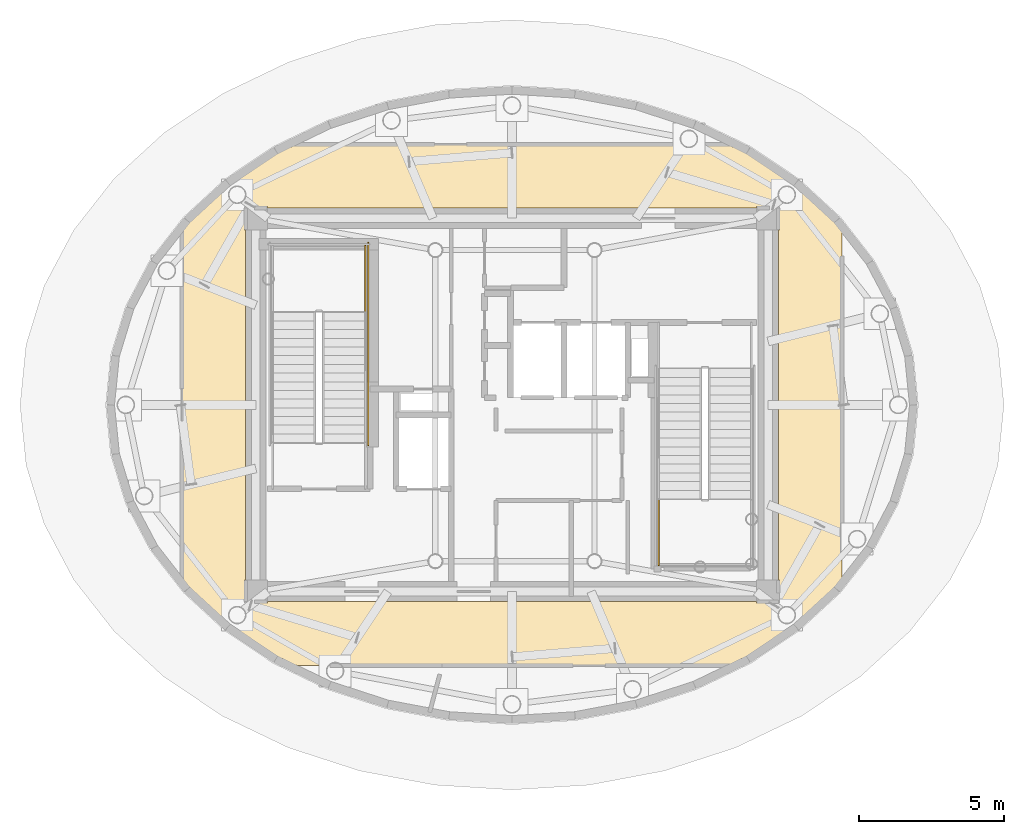
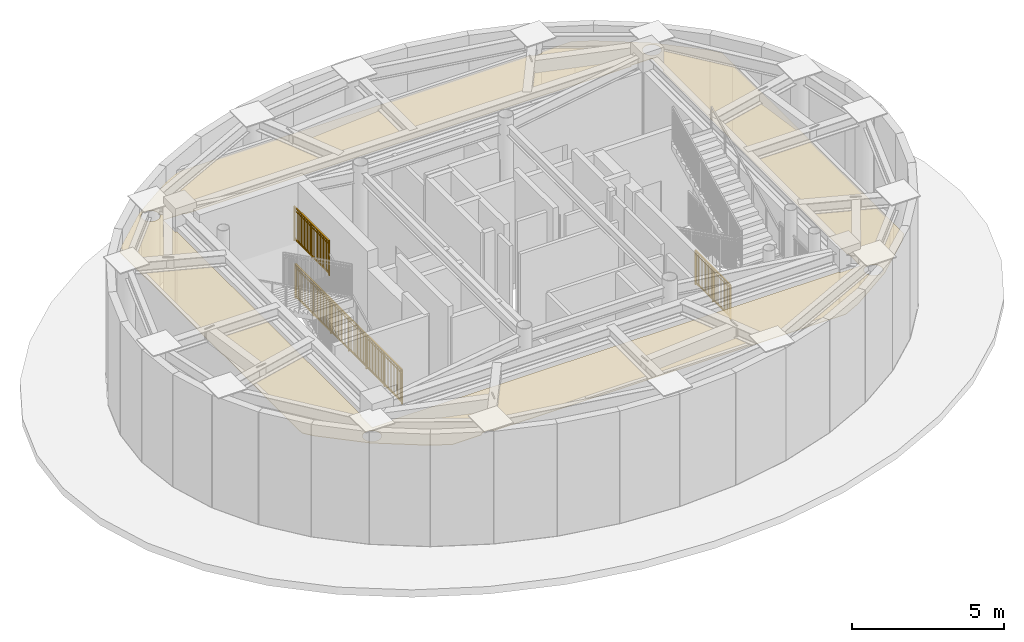
# One storey, part 8 of 12: 3 railings, 1 covering.
"""IFC4 building model written with IfcOpenShell, lengths in metres."""

import ifcopenshell
import ifcopenshell.guid

model = None  # the IFC model being written
_history = None  # IfcOwnerHistory: only IFC2X3 demands one
_inside = {}  # id of a spatial element -> (the spatial element, [elements in it])
_under = {}  # id of a project, library or spatial element -> (it, [spatial elements below it])
_declared = {}  # id of a project -> (the project, [libraries it declares])
_typed = {}  # id of a type object -> (the type object, [elements of that type])
_made_of = {}  # id of a material, layer set ... -> (it, [elements and type objects made of it])


def new_model(schema):
    """Start an empty IFC model of exactly this schema.

    Asked for "IFC4X3", IfcOpenShell would pick the latest addendum, in which some entities
    have other attributes; the version numbers below select the first issue.
    IFC2X3 requires an IfcOwnerHistory on every rooted entity: one is made here for all.
    """
    global model, _history
    if schema == "IFC4X3":
        model = ifcopenshell.file(schema_version=(4, 3, 0, 0))
    else:
        model = ifcopenshell.file(schema=schema)
    _inside.clear()
    _under.clear()
    _declared.clear()
    _typed.clear()
    _made_of.clear()
    _history = None
    if model.schema == "IFC2X3":
        org = make("IfcOrganization", Name="unknown")
        user = make(
            "IfcPersonAndOrganization",
            ThePerson=make("IfcPerson", FamilyName="unknown"),
            TheOrganization=org,
        )
        app = make(
            "IfcApplication",
            ApplicationDeveloper=org,
            Version="unknown",
            ApplicationFullName="unknown",
            ApplicationIdentifier="unknown",
        )
        _history = make(
            "IfcOwnerHistory",
            OwningUser=user,
            OwningApplication=app,
            ChangeAction="ADDED",
            CreationDate=0,
        )
    return model


def make(cls, **values):
    """One entity of the class cls with the attributes given. An attribute that is None is left unset."""
    return model.create_entity(
        cls, **{name: value for name, value in values.items() if value is not None}
    )


def rooted(cls, **values):
    """An entity with a GlobalId (a new one), such as an element, a storey or a relation."""
    return make(cls, GlobalId=ifcopenshell.guid.new(), OwnerHistory=_history, **values)


def si_unit(unit_type, name, prefix=None):
    """IfcSIUnit, for example si_unit("LENGTHUNIT", "METRE", prefix="MILLI")."""
    return make("IfcSIUnit", UnitType=unit_type, Prefix=prefix, Name=name)


def assignment(units):
    """IfcUnitAssignment: the units of a project."""
    return None if units is None else make("IfcUnitAssignment", Units=units)


def point(xyz):
    """IfcCartesianPoint."""
    return None if xyz is None else make("IfcCartesianPoint", Coordinates=xyz)


def direction(xyz):
    """IfcDirection."""
    return None if xyz is None else make("IfcDirection", DirectionRatios=xyz)


def frame(location, z_axis=None, x_axis=None):
    """IfcAxis2Placement3D, a coordinate frame: its origin and axes. An axis left out is left unset."""
    return make(
        "IfcAxis2Placement3D",
        Location=point(location),
        Axis=direction(z_axis),
        RefDirection=direction(x_axis),
    )


def frame_2d(location, x_axis=None):
    """IfcAxis2Placement2D, a coordinate frame in the plane: its origin and x axis."""
    return make(
        "IfcAxis2Placement2D", Location=point(location), RefDirection=direction(x_axis)
    )


def origin():
    """The frame at (0, 0, 0) with its axes left unset."""
    return frame((0.0, 0.0, 0.0))


def origin_2d():
    """The frame at (0, 0) in the plane with its x axis left unset."""
    return frame_2d((0.0, 0.0))


def place(relative_to, where):
    """IfcLocalPlacement: puts the frame where relative to a parent placement (None: the world)."""
    return make(
        "IfcLocalPlacement", PlacementRelTo=relative_to, RelativePlacement=where
    )


def context(
    kind, dimensions, precision=None, world=None, true_north=None, identifier=None
):
    """IfcGeometricRepresentationContext, for example the 3D "Model" context."""
    return make(
        "IfcGeometricRepresentationContext",
        ContextIdentifier=identifier,
        ContextType=kind,
        CoordinateSpaceDimension=dimensions,
        Precision=precision,
        WorldCoordinateSystem=world,
        TrueNorth=true_north,
    )


def subcontext(parent, identifier, kind, view, scale=None):
    """IfcGeometricRepresentationSubContext, for example "Body" below "Model"."""
    return make(
        "IfcGeometricRepresentationSubContext",
        ContextIdentifier=identifier,
        ContextType=kind,
        ParentContext=parent,
        TargetScale=scale,
        TargetView=view,
    )


def project(units=None, contexts=None):
    """IfcProject with its units and contexts."""
    return rooted(
        "IfcProject",
        Name="project",
        RepresentationContexts=contexts,
        UnitsInContext=assignment(units),
    )


def spatial(cls, under=None, at=None, **own):
    """A site, building, storey or space (cls), placed at a placement, below another one or the project."""
    s = rooted(cls, ObjectPlacement=at, **own)
    if under is not None:
        _under.setdefault(under.id(), (under, []))[1].append(s)
    return s


def polyline(points):
    """IfcPolyline through the points."""
    return make("IfcPolyline", Points=[point(p) for p in points])


def profile(cls, at=None, kind="AREA", **sizes):
    """A parametric profile (cls). Its sizes go by their IFC names, for example OverallWidth=200.0."""
    return make(cls, ProfileType=kind, Position=at, **sizes)


def rectangle(**sizes):
    """IfcRectangleProfileDef."""
    return profile("IfcRectangleProfileDef", **sizes)


def outline(outer, holes=None, kind="AREA"):
    """IfcArbitraryClosedProfileDef: a profile drawn as a closed curve; with holes, ...WithVoids."""
    if holes is None:
        return make("IfcArbitraryClosedProfileDef", ProfileType=kind, OuterCurve=outer)
    return make(
        "IfcArbitraryProfileDefWithVoids",
        ProfileType=kind,
        OuterCurve=outer,
        InnerCurves=holes,
    )


def extrude(swept, where, along, depth):
    """IfcExtrudedAreaSolid: the profile swept, set in the frame where, extruded along a direction by depth."""
    return make(
        "IfcExtrudedAreaSolid",
        SweptArea=swept,
        Position=where,
        ExtrudedDirection=direction(along),
        Depth=depth,
    )


def shape(context_of_items, identifier, shape_type, items):
    """IfcShapeRepresentation: the items that make up one representation, for example the "Body"."""
    return make(
        "IfcShapeRepresentation",
        ContextOfItems=context_of_items,
        RepresentationIdentifier=identifier,
        RepresentationType=shape_type,
        Items=items,
    )


def source(mapping_origin, context_of_items, identifier, shape_type, items):
    """IfcRepresentationMap: a shape defined once, which mapped items show again and again."""
    return make(
        "IfcRepresentationMap",
        MappingOrigin=mapping_origin,
        MappedRepresentation=shape(context_of_items, identifier, shape_type, items),
    )


def transform(
    local_origin,
    x_axis=None,
    y_axis=None,
    z_axis=None,
    scale=None,
    scale2=None,
    scale3=None,
    uniform=True,
):
    """IfcCartesianTransformationOperator3D, or its non-uniform kind. x_axis, y_axis, z_axis: its Axis1, 2, 3."""
    if uniform:
        return make(
            "IfcCartesianTransformationOperator3D",
            Axis1=direction(x_axis),
            Axis2=direction(y_axis),
            LocalOrigin=point(local_origin),
            Scale=scale,
            Axis3=direction(z_axis),
        )
    return make(
        "IfcCartesianTransformationOperator3DnonUniform",
        Axis1=direction(x_axis),
        Axis2=direction(y_axis),
        LocalOrigin=point(local_origin),
        Scale=scale,
        Axis3=direction(z_axis),
        Scale2=scale2,
        Scale3=scale3,
    )


def mapped(mapping_source, mapping_target):
    """IfcMappedItem: shows the shape of a source again, moved by a transform."""
    return make(
        "IfcMappedItem", MappingSource=mapping_source, MappingTarget=mapping_target
    )


def material(Name=None, Category=None):
    """IfcMaterial."""
    return make("IfcMaterial", Name=Name, Category=Category)


def layer(
    of_material, thickness, ventilated=None, Name=None, Category=None, Priority=None
):
    """IfcMaterialLayer: one layer of a wall or slab, of a material (None: an air gap)."""
    return make(
        "IfcMaterialLayer",
        Material=of_material,
        LayerThickness=thickness,
        IsVentilated=ventilated,
        Name=Name,
        Category=Category,
        Priority=Priority,
    )


def layer_set(layers, Name=None):
    """IfcMaterialLayerSet."""
    return make("IfcMaterialLayerSet", MaterialLayers=layers, LayerSetName=Name)


def made_of(thing, what):
    """Note that an element or type object is made of a material, layer set ...; save() writes the relation."""
    if what is not None:
        _made_of.setdefault(what.id(), (what, []))[1].append(thing)
    return thing


def type_object(cls, material=None, **own):
    """A type object (cls), such as IfcWallType, which elements share."""
    return made_of(rooted(cls, **own), material)


def element(
    cls,
    number,
    at=None,
    inside=None,
    cuts=None,
    type_object=None,
    material=None,
    context=None,
    identifier="Body",
    shape_type=None,
    held_by="IfcProductDefinitionShape",
    body=None,
    shapes=None,
    **own,
):
    """One element of the class cls, such as IfcWall. Its Tag is "e" and its number.

    at: its placement. inside: the storey or other place that contains it. cuts: it is an
    opening in that element (IfcRelVoidsElement). A single representation is given by context,
    identifier, shape_type and body (its items); several are given by shapes. held_by: the class
    of the entity that holds the representations. save() writes the other relations.
    """
    e = rooted(cls, Tag="e%d" % number, ObjectPlacement=at, **own)
    if body is not None:
        shapes = [shape(context, identifier, shape_type, body)]
    if shapes is not None:
        e.Representation = make(held_by, Representations=shapes)
    if inside is not None:
        _inside.setdefault(inside.id(), (inside, []))[1].append(e)
    if cuts is not None:
        rooted(
            "IfcRelVoidsElement", RelatingBuildingElement=cuts, RelatedOpeningElement=e
        )
    if type_object is not None:
        _typed.setdefault(type_object.id(), (type_object, []))[1].append(e)
    return made_of(e, material)


def aggregate(whole, parts):
    """IfcRelAggregates: a whole, such as a stair, and the parts it consists of."""
    return rooted("IfcRelAggregates", RelatingObject=whole, RelatedObjects=parts)


def save(model, path):
    """Write the relations noted so far, then the file.

    IfcRelAggregates (storeys below a building ...), IfcRelContainedInSpatialStructure (elements
    in a storey), IfcRelDefinesByType, IfcRelAssociatesMaterial and IfcRelDeclares: one each for
    every whole, place, type object, material and project.
    """
    for whole, parts in _under.values():
        aggregate(whole, parts)
    for where, things in _inside.values():
        rooted(
            "IfcRelContainedInSpatialStructure",
            RelatedElements=things,
            RelatingStructure=where,
        )
    for kind, things in _typed.values():
        rooted("IfcRelDefinesByType", RelatedObjects=things, RelatingType=kind)
    for what, things in _made_of.values():
        rooted("IfcRelAssociatesMaterial", RelatedObjects=things, RelatingMaterial=what)
    for by, libraries in _declared.values():
        rooted("IfcRelDeclares", RelatingContext=by, RelatedDefinitions=libraries)
    model.write(path)


model = new_model("IFC4")

# Units and contexts
model_context = context("Model", 3, precision=1e-05, world=origin(), true_north=direction((0.0, 1.0)))
body_context = subcontext(model_context, "Body", "Model", "MODEL_VIEW")
ifc_project = project(units=[si_unit("LENGTHUNIT", "METRE"), si_unit("AREAUNIT", "SQUARE_METRE"), si_unit("VOLUMEUNIT", "CUBIC_METRE"), si_unit("PLANEANGLEUNIT", "RADIAN"), si_unit("MASSUNIT", "GRAM", prefix="KILO")], contexts=[model_context])

# Site, building, storey
site_placement = place(None, origin())
site = spatial("IfcSite", under=ifc_project, at=site_placement, CompositionType="ELEMENT")
building_placement = place(site_placement, origin())
building = spatial("IfcBuilding", under=site, at=building_placement, Name="Linh Dai School and Residence Tower", CompositionType="ELEMENT")
storey_placement = place(building_placement, frame((0.0, 0.0, 368.39990234375)))
storey = spatial("IfcBuildingStorey", under=building, at=storey_placement, Name="L91", CompositionType="ELEMENT", Elevation=368.39990234375)

# Covering
ifc_material_1 = material(Name="Mineral Fibre Acoustic Suspended Ceiling", Category="masonry")
ifc_layer = layer(ifc_material_1, 0.02001953125)
ifc_layer_set = layer_set([ifc_layer], Name="Mineral Fibre Acoustic Suspended Ceiling")
covering_type = type_object("IfcCoveringType", Name="COV-CEIL-AC-20", PredefinedType="CEILING", material=ifc_layer_set)
covering_placement = place(storey_placement, frame((0.0, 0.0, 3.85009765625)))
element("IfcCovering", 1, at=covering_placement, inside=storey, type_object=covering_type, Name="L91 Crown Plant Ring Corridor Suspended Ceiling", PredefinedType="CEILING", context=body_context, shape_type="SweptSolid", body=[
    extrude(outline(polyline([(27.89501953125, 18.31787109375), (26.2548828125, 19.41845703125), (24.857421875, 20.7041015625), (24.60009765625, 21.033935546875), (24.60009765625, 32.966064453125), (24.857421875, 33.2958984375), (26.2548828125, 34.58154296875), (27.89501953125, 35.68212890625), (28.555419921875, 36.0), (41.864501953125, 36.0), (41.88818359375, 35.96875), (41.953857421875, 35.91845703125), (42.030517578125, 35.88671875), (42.1123046875, 35.8759765625), (42.194580078125, 35.88671875), (42.27099609375, 35.91845703125), (42.336669921875, 35.96875), (42.360595703125, 36.0), (43.444580078125, 36.0), (44.10498046875, 35.68212890625), (45.7451171875, 34.58154296875), (47.142578125, 33.2958984375), (47.39990234375, 32.966064453125), (47.39990234375, 21.033935546875), (47.142578125, 20.7041015625), (45.7451171875, 19.41845703125), (44.10498046875, 18.31787109375), (43.444580078125, 18.0), (30.135498046875, 18.0), (30.11181640625, 18.03125), (30.046142578125, 18.08154296875), (29.969482421875, 18.11328125), (29.8876953125, 18.1240234375), (29.805419921875, 18.11328125), (29.72900390625, 18.08154296875), (29.663330078125, 18.03125), (29.639404296875, 18.0), (28.555419921875, 18.0), (27.89501953125, 18.31787109375)]), holes=[polyline([(45.6533203125, 33.988525390625), (45.718994140625, 34.0390625), (45.769287109375, 34.1044921875), (45.801025390625, 34.18115234375), (45.811767578125, 34.26318359375), (45.801025390625, 34.34521484375), (45.769287109375, 34.421630859375), (45.718994140625, 34.4873046875), (45.6533203125, 34.53759765625), (45.576904296875, 34.5693359375), (45.494873046875, 34.580078125), (45.412841796875, 34.5693359375), (45.336181640625, 34.53759765625), (45.270751953125, 34.4873046875), (45.22021484375, 34.421630859375), (45.188720703125, 34.34521484375), (45.177734375, 34.26318359375), (45.188720703125, 34.18115234375), (45.22021484375, 34.1044921875), (45.270751953125, 34.0390625), (45.336181640625, 33.988525390625), (45.412841796875, 33.956787109375), (45.494873046875, 33.946044921875), (45.576904296875, 33.956787109375), (45.6533203125, 33.988525390625)]), polyline([(45.718994140625, 19.5126953125), (45.769287109375, 19.578369140625), (45.801025390625, 19.65478515625), (45.811767578125, 19.73681640625), (45.801025390625, 19.81884765625), (45.769287109375, 19.8955078125), (45.718994140625, 19.9609375), (45.6533203125, 20.011474609375), (45.576904296875, 20.043212890625), (45.494873046875, 20.053955078125), (45.412841796875, 20.043212890625), (45.336181640625, 20.011474609375), (45.270751953125, 19.9609375), (45.22021484375, 19.8955078125), (45.188720703125, 19.81884765625), (45.177734375, 19.73681640625), (45.188720703125, 19.65478515625), (45.22021484375, 19.578369140625), (45.270751953125, 19.5126953125), (45.336181640625, 19.46240234375), (45.412841796875, 19.4306640625), (45.494873046875, 19.419921875), (45.576904296875, 19.4306640625), (45.6533203125, 19.46240234375), (45.718994140625, 19.5126953125)]), polyline([(26.800048828125, 20.949951171875), (26.75, 20.949951171875), (26.75, 20.14990234375), (27.550048828125, 20.14990234375), (27.550048828125, 20.199951171875), (44.449951171875, 20.199951171875), (44.449951171875, 20.14990234375), (45.25, 20.14990234375), (45.25, 20.949951171875), (45.199951171875, 20.949951171875), (45.199951171875, 33.050048828125), (45.25, 33.050048828125), (45.25, 33.85009765625), (44.449951171875, 33.85009765625), (44.449951171875, 33.800048828125), (27.550048828125, 33.800048828125), (27.550048828125, 33.85009765625), (26.75, 33.85009765625), (26.75, 33.050048828125), (26.800048828125, 33.050048828125), (26.800048828125, 20.949951171875)]), polyline([(26.663818359375, 33.988525390625), (26.729248046875, 34.0390625), (26.77978515625, 34.1044921875), (26.811279296875, 34.18115234375), (26.822265625, 34.26318359375), (26.811279296875, 34.34521484375), (26.77978515625, 34.421630859375), (26.729248046875, 34.4873046875), (26.663818359375, 34.53759765625), (26.587158203125, 34.5693359375), (26.505126953125, 34.580078125), (26.423095703125, 34.5693359375), (26.3466796875, 34.53759765625), (26.281005859375, 34.4873046875), (26.230712890625, 34.421630859375), (26.198974609375, 34.34521484375), (26.188232421875, 34.26318359375), (26.198974609375, 34.18115234375), (26.230712890625, 34.1044921875), (26.281005859375, 34.0390625), (26.3466796875, 33.988525390625), (26.423095703125, 33.956787109375), (26.505126953125, 33.946044921875), (26.587158203125, 33.956787109375), (26.663818359375, 33.988525390625)]), polyline([(26.729248046875, 19.5126953125), (26.77978515625, 19.578369140625), (26.811279296875, 19.65478515625), (26.822265625, 19.73681640625), (26.811279296875, 19.81884765625), (26.77978515625, 19.8955078125), (26.729248046875, 19.9609375), (26.663818359375, 20.011474609375), (26.587158203125, 20.043212890625), (26.505126953125, 20.053955078125), (26.423095703125, 20.043212890625), (26.3466796875, 20.011474609375), (26.281005859375, 19.9609375), (26.230712890625, 19.8955078125), (26.198974609375, 19.81884765625), (26.188232421875, 19.73681640625), (26.198974609375, 19.65478515625), (26.230712890625, 19.578369140625), (26.281005859375, 19.5126953125), (26.3466796875, 19.46240234375), (26.423095703125, 19.4306640625), (26.505126953125, 19.419921875), (26.587158203125, 19.4306640625), (26.663818359375, 19.46240234375), (26.729248046875, 19.5126953125)])]), origin(), (0.0, 0.0, 1.0), 0.02001953125),
])

# Railings
ifc_material_2 = material(Name="Structural Steel S355JR", Category="steel")
railing_type = type_object("IfcRailingType", Name="RL-ST-GUARD-1400", PredefinedType="GUARDRAIL", material=ifc_material_2)
shared_shape_1 = source(origin(), body_context, "Body", "SweptSolid", [
    extrude(rectangle(XDim=0.048095703125, YDim=0.048095703125, at=origin_2d()), frame((0.0, 0.0, 1.3759765625), z_axis=(0.0, 1.0, 0.0), x_axis=(-1.0, 0.0, 0.0)), (0.0, 0.0, 1.0), 7.0),
    extrude(rectangle(XDim=0.048095703125, YDim=0.048095703125, at=origin_2d()), frame((0.0, 0.0, 0.10009765625), z_axis=(0.0, 1.0, 0.0), x_axis=(-1.0, 0.0, 0.0)), (0.0, 0.0, 1.0), 7.0),
    extrude(rectangle(XDim=0.030029296875, YDim=0.030029296875, at=origin_2d()), frame((0.0, 0.0, 1.239990234375), z_axis=(0.0, 1.0, 0.0), x_axis=(-1.0, 0.0, 0.0)), (0.0, 0.0, 1.0), 7.0),
    extrude(rectangle(XDim=0.02001953125, YDim=0.02001953125, at=origin_2d()), frame((0.0, 0.09716796875, 0.10009765625)), (0.0, 0.0, 1.0), 1.251708984375),
    extrude(rectangle(XDim=0.02001953125, YDim=0.02001953125, at=origin_2d()), frame((0.0, 0.1943359375, 0.10009765625)), (0.0, 0.0, 1.0), 1.251708984375),
    extrude(rectangle(XDim=0.02001953125, YDim=0.02001953125, at=origin_2d()), frame((0.0, 0.291748046875, 0.10009765625)), (0.0, 0.0, 1.0), 1.251708984375),
    extrude(rectangle(XDim=0.02001953125, YDim=0.02001953125, at=origin_2d()), frame((0.0, 0.388916015625, 0.10009765625)), (0.0, 0.0, 1.0), 1.251708984375),
    extrude(rectangle(XDim=0.02001953125, YDim=0.02001953125, at=origin_2d()), frame((0.0, 0.486083984375, 0.10009765625)), (0.0, 0.0, 1.0), 1.251708984375),
    extrude(rectangle(XDim=0.02001953125, YDim=0.02001953125, at=origin_2d()), frame((0.0, 0.583251953125, 0.10009765625)), (0.0, 0.0, 1.0), 1.251708984375),
    extrude(rectangle(XDim=0.02001953125, YDim=0.02001953125, at=origin_2d()), frame((0.0, 0.6806640625, 0.10009765625)), (0.0, 0.0, 1.0), 1.251708984375),
    extrude(rectangle(XDim=0.02001953125, YDim=0.02001953125, at=origin_2d()), frame((0.0, 0.77783203125, 0.10009765625)), (0.0, 0.0, 1.0), 1.251708984375),
    extrude(rectangle(XDim=0.02001953125, YDim=0.02001953125, at=origin_2d()), frame((0.0, 0.875, 0.10009765625)), (0.0, 0.0, 1.0), 1.251708984375),
    extrude(rectangle(XDim=0.02001953125, YDim=0.02001953125, at=origin_2d()), frame((0.0, 0.97216796875, 0.10009765625)), (0.0, 0.0, 1.0), 1.251708984375),
    extrude(rectangle(XDim=0.02001953125, YDim=0.02001953125, at=origin_2d()), frame((0.0, 1.0693359375, 0.10009765625)), (0.0, 0.0, 1.0), 1.251708984375),
    extrude(rectangle(XDim=0.02001953125, YDim=0.02001953125, at=origin_2d()), frame((0.0, 1.263916015625, 0.10009765625)), (0.0, 0.0, 1.0), 1.251708984375),
    extrude(rectangle(XDim=0.02001953125, YDim=0.02001953125, at=origin_2d()), frame((0.0, 1.361083984375, 0.10009765625)), (0.0, 0.0, 1.0), 1.251708984375),
    extrude(rectangle(XDim=0.02001953125, YDim=0.02001953125, at=origin_2d()), frame((0.0, 1.458251953125, 0.10009765625)), (0.0, 0.0, 1.0), 1.251708984375),
    extrude(rectangle(XDim=0.02001953125, YDim=0.02001953125, at=origin_2d()), frame((0.0, 1.5556640625, 0.10009765625)), (0.0, 0.0, 1.0), 1.251708984375),
    extrude(rectangle(XDim=0.02001953125, YDim=0.02001953125, at=origin_2d()), frame((0.0, 1.65283203125, 0.10009765625)), (0.0, 0.0, 1.0), 1.251708984375),
    extrude(rectangle(XDim=0.02001953125, YDim=0.02001953125, at=origin_2d()), frame((0.0, 1.75, 0.10009765625)), (0.0, 0.0, 1.0), 1.251708984375),
    extrude(rectangle(XDim=0.02001953125, YDim=0.02001953125, at=origin_2d()), frame((0.0, 1.84716796875, 0.10009765625)), (0.0, 0.0, 1.0), 1.251708984375),
    extrude(rectangle(XDim=0.02001953125, YDim=0.02001953125, at=origin_2d()), frame((0.0, 1.9443359375, 0.10009765625)), (0.0, 0.0, 1.0), 1.251708984375),
    extrude(rectangle(XDim=0.02001953125, YDim=0.02001953125, at=origin_2d()), frame((0.0, 2.041748046875, 0.10009765625)), (0.0, 0.0, 1.0), 1.251708984375),
    extrude(rectangle(XDim=0.02001953125, YDim=0.02001953125, at=origin_2d()), frame((0.0, 2.138916015625, 0.10009765625)), (0.0, 0.0, 1.0), 1.251708984375),
    extrude(rectangle(XDim=0.02001953125, YDim=0.02001953125, at=origin_2d()), frame((0.0, 2.236083984375, 0.10009765625)), (0.0, 0.0, 1.0), 1.251708984375),
    extrude(rectangle(XDim=0.02001953125, YDim=0.02001953125, at=origin_2d()), frame((0.0, 2.4306640625, 0.10009765625)), (0.0, 0.0, 1.0), 1.251708984375),
    extrude(rectangle(XDim=0.02001953125, YDim=0.02001953125, at=origin_2d()), frame((0.0, 2.52783203125, 0.10009765625)), (0.0, 0.0, 1.0), 1.251708984375),
    extrude(rectangle(XDim=0.02001953125, YDim=0.02001953125, at=origin_2d()), frame((0.0, 2.625, 0.10009765625)), (0.0, 0.0, 1.0), 1.251708984375),
    extrude(rectangle(XDim=0.02001953125, YDim=0.02001953125, at=origin_2d()), frame((0.0, 2.72216796875, 0.10009765625)), (0.0, 0.0, 1.0), 1.251708984375),
    extrude(rectangle(XDim=0.02001953125, YDim=0.02001953125, at=origin_2d()), frame((0.0, 2.8193359375, 0.10009765625)), (0.0, 0.0, 1.0), 1.251708984375),
    extrude(rectangle(XDim=0.02001953125, YDim=0.02001953125, at=origin_2d()), frame((0.0, 2.916748046875, 0.10009765625)), (0.0, 0.0, 1.0), 1.251708984375),
    extrude(rectangle(XDim=0.02001953125, YDim=0.02001953125, at=origin_2d()), frame((0.0, 3.013916015625, 0.10009765625)), (0.0, 0.0, 1.0), 1.251708984375),
    extrude(rectangle(XDim=0.02001953125, YDim=0.02001953125, at=origin_2d()), frame((0.0, 3.111083984375, 0.10009765625)), (0.0, 0.0, 1.0), 1.251708984375),
    extrude(rectangle(XDim=0.02001953125, YDim=0.02001953125, at=origin_2d()), frame((0.0, 3.208251953125, 0.10009765625)), (0.0, 0.0, 1.0), 1.251708984375),
    extrude(rectangle(XDim=0.02001953125, YDim=0.02001953125, at=origin_2d()), frame((0.0, 3.3056640625, 0.10009765625)), (0.0, 0.0, 1.0), 1.251708984375),
    extrude(rectangle(XDim=0.02001953125, YDim=0.02001953125, at=origin_2d()), frame((0.0, 3.40283203125, 0.10009765625)), (0.0, 0.0, 1.0), 1.251708984375),
    extrude(rectangle(XDim=0.02001953125, YDim=0.02001953125, at=origin_2d()), frame((0.0, 3.59716796875, 0.10009765625)), (0.0, 0.0, 1.0), 1.251708984375),
    extrude(rectangle(XDim=0.02001953125, YDim=0.02001953125, at=origin_2d()), frame((0.0, 3.6943359375, 0.10009765625)), (0.0, 0.0, 1.0), 1.251708984375),
    extrude(rectangle(XDim=0.02001953125, YDim=0.02001953125, at=origin_2d()), frame((0.0, 3.791748046875, 0.10009765625)), (0.0, 0.0, 1.0), 1.251708984375),
    extrude(rectangle(XDim=0.02001953125, YDim=0.02001953125, at=origin_2d()), frame((0.0, 3.888916015625, 0.10009765625)), (0.0, 0.0, 1.0), 1.251708984375),
    extrude(rectangle(XDim=0.02001953125, YDim=0.02001953125, at=origin_2d()), frame((0.0, 3.986083984375, 0.10009765625)), (0.0, 0.0, 1.0), 1.251708984375),
    extrude(rectangle(XDim=0.02001953125, YDim=0.02001953125, at=origin_2d()), frame((0.0, 4.083251953125, 0.10009765625)), (0.0, 0.0, 1.0), 1.251708984375),
    extrude(rectangle(XDim=0.02001953125, YDim=0.02001953125, at=origin_2d()), frame((0.0, 4.1806640625, 0.10009765625)), (0.0, 0.0, 1.0), 1.251708984375),
    extrude(rectangle(XDim=0.02001953125, YDim=0.02001953125, at=origin_2d()), frame((0.0, 4.27783203125, 0.10009765625)), (0.0, 0.0, 1.0), 1.251708984375),
    extrude(rectangle(XDim=0.02001953125, YDim=0.02001953125, at=origin_2d()), frame((0.0, 4.375, 0.10009765625)), (0.0, 0.0, 1.0), 1.251708984375),
    extrude(rectangle(XDim=0.02001953125, YDim=0.02001953125, at=origin_2d()), frame((0.0, 4.47216796875, 0.10009765625)), (0.0, 0.0, 1.0), 1.251708984375),
    extrude(rectangle(XDim=0.02001953125, YDim=0.02001953125, at=origin_2d()), frame((0.0, 4.5693359375, 0.10009765625)), (0.0, 0.0, 1.0), 1.251708984375),
    extrude(rectangle(XDim=0.02001953125, YDim=0.02001953125, at=origin_2d()), frame((0.0, 4.763916015625, 0.10009765625)), (0.0, 0.0, 1.0), 1.251708984375),
    extrude(rectangle(XDim=0.02001953125, YDim=0.02001953125, at=origin_2d()), frame((0.0, 4.861083984375, 0.10009765625)), (0.0, 0.0, 1.0), 1.251708984375),
    extrude(rectangle(XDim=0.02001953125, YDim=0.02001953125, at=origin_2d()), frame((0.0, 4.958251953125, 0.10009765625)), (0.0, 0.0, 1.0), 1.251708984375),
    extrude(rectangle(XDim=0.02001953125, YDim=0.02001953125, at=origin_2d()), frame((0.0, 5.0556640625, 0.10009765625)), (0.0, 0.0, 1.0), 1.251708984375),
    extrude(rectangle(XDim=0.02001953125, YDim=0.02001953125, at=origin_2d()), frame((0.0, 5.15283203125, 0.10009765625)), (0.0, 0.0, 1.0), 1.251708984375),
    extrude(rectangle(XDim=0.02001953125, YDim=0.02001953125, at=origin_2d()), frame((0.0, 5.25, 0.10009765625)), (0.0, 0.0, 1.0), 1.251708984375),
    extrude(rectangle(XDim=0.02001953125, YDim=0.02001953125, at=origin_2d()), frame((0.0, 5.34716796875, 0.10009765625)), (0.0, 0.0, 1.0), 1.251708984375),
    extrude(rectangle(XDim=0.02001953125, YDim=0.02001953125, at=origin_2d()), frame((0.0, 5.4443359375, 0.10009765625)), (0.0, 0.0, 1.0), 1.251708984375),
    extrude(rectangle(XDim=0.02001953125, YDim=0.02001953125, at=origin_2d()), frame((0.0, 5.541748046875, 0.10009765625)), (0.0, 0.0, 1.0), 1.251708984375),
    extrude(rectangle(XDim=0.02001953125, YDim=0.02001953125, at=origin_2d()), frame((0.0, 5.638916015625, 0.10009765625)), (0.0, 0.0, 1.0), 1.251708984375),
    extrude(rectangle(XDim=0.02001953125, YDim=0.02001953125, at=origin_2d()), frame((0.0, 5.736083984375, 0.10009765625)), (0.0, 0.0, 1.0), 1.251708984375),
    extrude(rectangle(XDim=0.02001953125, YDim=0.02001953125, at=origin_2d()), frame((0.0, 5.9306640625, 0.10009765625)), (0.0, 0.0, 1.0), 1.251708984375),
    extrude(rectangle(XDim=0.02001953125, YDim=0.02001953125, at=origin_2d()), frame((0.0, 6.02783203125, 0.10009765625)), (0.0, 0.0, 1.0), 1.251708984375),
    extrude(rectangle(XDim=0.02001953125, YDim=0.02001953125, at=origin_2d()), frame((0.0, 6.125, 0.10009765625)), (0.0, 0.0, 1.0), 1.251708984375),
    extrude(rectangle(XDim=0.02001953125, YDim=0.02001953125, at=origin_2d()), frame((0.0, 6.22216796875, 0.10009765625)), (0.0, 0.0, 1.0), 1.251708984375),
    extrude(rectangle(XDim=0.02001953125, YDim=0.02001953125, at=origin_2d()), frame((0.0, 6.3193359375, 0.10009765625)), (0.0, 0.0, 1.0), 1.251708984375),
    extrude(rectangle(XDim=0.02001953125, YDim=0.02001953125, at=origin_2d()), frame((0.0, 6.416748046875, 0.10009765625)), (0.0, 0.0, 1.0), 1.251708984375),
    extrude(rectangle(XDim=0.02001953125, YDim=0.02001953125, at=origin_2d()), frame((0.0, 6.513916015625, 0.10009765625)), (0.0, 0.0, 1.0), 1.251708984375),
    extrude(rectangle(XDim=0.02001953125, YDim=0.02001953125, at=origin_2d()), frame((0.0, 6.611083984375, 0.10009765625)), (0.0, 0.0, 1.0), 1.251708984375),
    extrude(rectangle(XDim=0.02001953125, YDim=0.02001953125, at=origin_2d()), frame((0.0, 6.708251953125, 0.10009765625)), (0.0, 0.0, 1.0), 1.251708984375),
    extrude(rectangle(XDim=0.02001953125, YDim=0.02001953125, at=origin_2d()), frame((0.0, 6.8056640625, 0.10009765625)), (0.0, 0.0, 1.0), 1.251708984375),
    extrude(rectangle(XDim=0.02001953125, YDim=0.02001953125, at=origin_2d()), frame((0.0, 6.90283203125, 0.10009765625)), (0.0, 0.0, 1.0), 1.251708984375),
    extrude(rectangle(XDim=0.0419921875, YDim=0.0419921875, at=origin_2d()), origin(), (0.0, 0.0, 1.0), 1.3759765625),
    extrude(rectangle(XDim=0.0419921875, YDim=0.0419921875, at=origin_2d()), frame((0.0, 1.166748046875, 0.0)), (0.0, 0.0, 1.0), 1.3759765625),
    extrude(rectangle(XDim=0.0419921875, YDim=0.0419921875, at=origin_2d()), frame((0.0, 2.333251953125, 0.0)), (0.0, 0.0, 1.0), 1.3759765625),
    extrude(rectangle(XDim=0.0419921875, YDim=0.0419921875, at=origin_2d()), frame((0.0, 3.5, 0.0)), (0.0, 0.0, 1.0), 1.3759765625),
    extrude(rectangle(XDim=0.0419921875, YDim=0.0419921875, at=origin_2d()), frame((0.0, 4.666748046875, 0.0)), (0.0, 0.0, 1.0), 1.3759765625),
    extrude(rectangle(XDim=0.0419921875, YDim=0.0419921875, at=origin_2d()), frame((0.0, 5.833251953125, 0.0)), (0.0, 0.0, 1.0), 1.3759765625),
    extrude(rectangle(XDim=0.0419921875, YDim=0.0419921875, at=origin_2d()), frame((0.0, 7.0, 0.0)), (0.0, 0.0, 1.0), 1.3759765625),
])
railing_1_placement = place(storey_placement, frame((31.030029296875, 25.60009765625, 0.0)))
element("IfcRailing", 2, at=railing_1_placement, inside=storey, type_object=railing_type, Name="L91 ST1 stair guard 10", PredefinedType="GUARDRAIL", context=body_context, shape_type="MappedRepresentation", body=[
    mapped(shared_shape_1, transform((0.0, 0.0, 0.0), x_axis=(1.0, 0.0, 0.0), y_axis=(0.0, 1.0, 0.0), z_axis=(0.0, 0.0, 1.0), scale=1.0)),
])
shared_shape_2 = source(origin(), body_context, "Body", "SweptSolid", [
    extrude(rectangle(XDim=0.048095703125, YDim=0.048095703125, at=origin_2d()), frame((0.0, 0.0, 1.3759765625), z_axis=(0.0, 1.0, 0.0), x_axis=(-1.0, 0.0, 0.0)), (0.0, 0.0, 1.0), 2.300048828125),
    extrude(rectangle(XDim=0.048095703125, YDim=0.048095703125, at=origin_2d()), frame((0.0, 0.0, 0.10009765625), z_axis=(0.0, 1.0, 0.0), x_axis=(-1.0, 0.0, 0.0)), (0.0, 0.0, 1.0), 2.300048828125),
    extrude(rectangle(XDim=0.030029296875, YDim=0.030029296875, at=origin_2d()), frame((0.0, 0.0, 1.239990234375), z_axis=(0.0, 1.0, 0.0), x_axis=(-1.0, 0.0, 0.0)), (0.0, 0.0, 1.0), 2.300048828125),
    extrude(rectangle(XDim=0.02001953125, YDim=0.02001953125, at=origin_2d()), frame((0.0, 0.095947265625, 0.10009765625)), (0.0, 0.0, 1.0), 1.251708984375),
    extrude(rectangle(XDim=0.02001953125, YDim=0.02001953125, at=origin_2d()), frame((0.0, 0.191650390625, 0.10009765625)), (0.0, 0.0, 1.0), 1.251708984375),
    extrude(rectangle(XDim=0.02001953125, YDim=0.02001953125, at=origin_2d()), frame((0.0, 0.28759765625, 0.10009765625)), (0.0, 0.0, 1.0), 1.251708984375),
    extrude(rectangle(XDim=0.02001953125, YDim=0.02001953125, at=origin_2d()), frame((0.0, 0.38330078125, 0.10009765625)), (0.0, 0.0, 1.0), 1.251708984375),
    extrude(rectangle(XDim=0.02001953125, YDim=0.02001953125, at=origin_2d()), frame((0.0, 0.479248046875, 0.10009765625)), (0.0, 0.0, 1.0), 1.251708984375),
    extrude(rectangle(XDim=0.02001953125, YDim=0.02001953125, at=origin_2d()), frame((0.0, 0.574951171875, 0.10009765625)), (0.0, 0.0, 1.0), 1.251708984375),
    extrude(rectangle(XDim=0.02001953125, YDim=0.02001953125, at=origin_2d()), frame((0.0, 0.6708984375, 0.10009765625)), (0.0, 0.0, 1.0), 1.251708984375),
    extrude(rectangle(XDim=0.02001953125, YDim=0.02001953125, at=origin_2d()), frame((0.0, 0.7666015625, 0.10009765625)), (0.0, 0.0, 1.0), 1.251708984375),
    extrude(rectangle(XDim=0.02001953125, YDim=0.02001953125, at=origin_2d()), frame((0.0, 0.862548828125, 0.10009765625)), (0.0, 0.0, 1.0), 1.251708984375),
    extrude(rectangle(XDim=0.02001953125, YDim=0.02001953125, at=origin_2d()), frame((0.0, 0.958251953125, 0.10009765625)), (0.0, 0.0, 1.0), 1.251708984375),
    extrude(rectangle(XDim=0.02001953125, YDim=0.02001953125, at=origin_2d()), frame((0.0, 1.05419921875, 0.10009765625)), (0.0, 0.0, 1.0), 1.251708984375),
    extrude(rectangle(XDim=0.02001953125, YDim=0.02001953125, at=origin_2d()), frame((0.0, 1.245849609375, 0.10009765625)), (0.0, 0.0, 1.0), 1.251708984375),
    extrude(rectangle(XDim=0.02001953125, YDim=0.02001953125, at=origin_2d()), frame((0.0, 1.341796875, 0.10009765625)), (0.0, 0.0, 1.0), 1.251708984375),
    extrude(rectangle(XDim=0.02001953125, YDim=0.02001953125, at=origin_2d()), frame((0.0, 1.4375, 0.10009765625)), (0.0, 0.0, 1.0), 1.251708984375),
    extrude(rectangle(XDim=0.02001953125, YDim=0.02001953125, at=origin_2d()), frame((0.0, 1.533447265625, 0.10009765625)), (0.0, 0.0, 1.0), 1.251708984375),
    extrude(rectangle(XDim=0.02001953125, YDim=0.02001953125, at=origin_2d()), frame((0.0, 1.629150390625, 0.10009765625)), (0.0, 0.0, 1.0), 1.251708984375),
    extrude(rectangle(XDim=0.02001953125, YDim=0.02001953125, at=origin_2d()), frame((0.0, 1.72509765625, 0.10009765625)), (0.0, 0.0, 1.0), 1.251708984375),
    extrude(rectangle(XDim=0.02001953125, YDim=0.02001953125, at=origin_2d()), frame((0.0, 1.82080078125, 0.10009765625)), (0.0, 0.0, 1.0), 1.251708984375),
    extrude(rectangle(XDim=0.02001953125, YDim=0.02001953125, at=origin_2d()), frame((0.0, 1.916748046875, 0.10009765625)), (0.0, 0.0, 1.0), 1.251708984375),
    extrude(rectangle(XDim=0.02001953125, YDim=0.02001953125, at=origin_2d()), frame((0.0, 2.012451171875, 0.10009765625)), (0.0, 0.0, 1.0), 1.251708984375),
    extrude(rectangle(XDim=0.02001953125, YDim=0.02001953125, at=origin_2d()), frame((0.0, 2.1083984375, 0.10009765625)), (0.0, 0.0, 1.0), 1.251708984375),
    extrude(rectangle(XDim=0.02001953125, YDim=0.02001953125, at=origin_2d()), frame((0.0, 2.2041015625, 0.10009765625)), (0.0, 0.0, 1.0), 1.251708984375),
    extrude(rectangle(XDim=0.0419921875, YDim=0.0419921875, at=origin_2d()), origin(), (0.0, 0.0, 1.0), 1.3759765625),
    extrude(rectangle(XDim=0.0419921875, YDim=0.0419921875, at=origin_2d()), frame((0.0, 1.14990234375, 0.0)), (0.0, 0.0, 1.0), 1.3759765625),
    extrude(rectangle(XDim=0.0419921875, YDim=0.0419921875, at=origin_2d()), frame((0.0, 2.300048828125, 0.0)), (0.0, 0.0, 1.0), 1.3759765625),
])
railing_2_placement = place(storey_placement, frame((30.929931640625, 30.199951171875, 2.400146484375)))
element("IfcRailing", 3, at=railing_2_placement, inside=storey, type_object=railing_type, Name="L91 ST1 stair guard 3", PredefinedType="GUARDRAIL", context=body_context, shape_type="MappedRepresentation", body=[
    mapped(shared_shape_2, transform((0.0, 0.0, 0.0), x_axis=(1.0, 0.0, 0.0), y_axis=(0.0, 1.0, 0.0), z_axis=(0.0, 0.0, 1.0), scale=1.0)),
])
shared_shape_3 = source(origin(), body_context, "Body", "SweptSolid", [
    extrude(rectangle(XDim=0.048095703125, YDim=0.048095703125, at=origin_2d()), frame((0.0, 0.0, 1.3759765625), z_axis=(0.0, -1.0, 0.0), x_axis=(1.0, 0.0, 0.0)), (0.0, 0.0, 1.0), 2.300048828125),
    extrude(rectangle(XDim=0.048095703125, YDim=0.048095703125, at=origin_2d()), frame((0.0, 0.0, 0.10009765625), z_axis=(0.0, -1.0, 0.0), x_axis=(1.0, 0.0, 0.0)), (0.0, 0.0, 1.0), 2.300048828125),
    extrude(rectangle(XDim=0.030029296875, YDim=0.030029296875, at=origin_2d()), frame((0.0, 0.0, 1.239990234375), z_axis=(0.0, -1.0, 0.0), x_axis=(1.0, 0.0, 0.0)), (0.0, 0.0, 1.0), 2.300048828125),
    extrude(rectangle(XDim=0.02001953125, YDim=0.02001953125, at=origin_2d()), frame((0.0, -0.095947265625, 0.10009765625)), (0.0, 0.0, 1.0), 1.251708984375),
    extrude(rectangle(XDim=0.02001953125, YDim=0.02001953125, at=origin_2d()), frame((0.0, -0.191650390625, 0.10009765625)), (0.0, 0.0, 1.0), 1.251708984375),
    extrude(rectangle(XDim=0.02001953125, YDim=0.02001953125, at=origin_2d()), frame((0.0, -0.28759765625, 0.10009765625)), (0.0, 0.0, 1.0), 1.251708984375),
    extrude(rectangle(XDim=0.02001953125, YDim=0.02001953125, at=origin_2d()), frame((0.0, -0.38330078125, 0.10009765625)), (0.0, 0.0, 1.0), 1.251708984375),
    extrude(rectangle(XDim=0.02001953125, YDim=0.02001953125, at=origin_2d()), frame((0.0, -0.479248046875, 0.10009765625)), (0.0, 0.0, 1.0), 1.251708984375),
    extrude(rectangle(XDim=0.02001953125, YDim=0.02001953125, at=origin_2d()), frame((0.0, -0.574951171875, 0.10009765625)), (0.0, 0.0, 1.0), 1.251708984375),
    extrude(rectangle(XDim=0.02001953125, YDim=0.02001953125, at=origin_2d()), frame((0.0, -0.6708984375, 0.10009765625)), (0.0, 0.0, 1.0), 1.251708984375),
    extrude(rectangle(XDim=0.02001953125, YDim=0.02001953125, at=origin_2d()), frame((0.0, -0.7666015625, 0.10009765625)), (0.0, 0.0, 1.0), 1.251708984375),
    extrude(rectangle(XDim=0.02001953125, YDim=0.02001953125, at=origin_2d()), frame((0.0, -0.862548828125, 0.10009765625)), (0.0, 0.0, 1.0), 1.251708984375),
    extrude(rectangle(XDim=0.02001953125, YDim=0.02001953125, at=origin_2d()), frame((0.0, -0.958251953125, 0.10009765625)), (0.0, 0.0, 1.0), 1.251708984375),
    extrude(rectangle(XDim=0.02001953125, YDim=0.02001953125, at=origin_2d()), frame((0.0, -1.05419921875, 0.10009765625)), (0.0, 0.0, 1.0), 1.251708984375),
    extrude(rectangle(XDim=0.02001953125, YDim=0.02001953125, at=origin_2d()), frame((0.0, -1.245849609375, 0.10009765625)), (0.0, 0.0, 1.0), 1.251708984375),
    extrude(rectangle(XDim=0.02001953125, YDim=0.02001953125, at=origin_2d()), frame((0.0, -1.341796875, 0.10009765625)), (0.0, 0.0, 1.0), 1.251708984375),
    extrude(rectangle(XDim=0.02001953125, YDim=0.02001953125, at=origin_2d()), frame((0.0, -1.4375, 0.10009765625)), (0.0, 0.0, 1.0), 1.251708984375),
    extrude(rectangle(XDim=0.02001953125, YDim=0.02001953125, at=origin_2d()), frame((0.0, -1.533447265625, 0.10009765625)), (0.0, 0.0, 1.0), 1.251708984375),
    extrude(rectangle(XDim=0.02001953125, YDim=0.02001953125, at=origin_2d()), frame((0.0, -1.629150390625, 0.10009765625)), (0.0, 0.0, 1.0), 1.251708984375),
    extrude(rectangle(XDim=0.02001953125, YDim=0.02001953125, at=origin_2d()), frame((0.0, -1.72509765625, 0.10009765625)), (0.0, 0.0, 1.0), 1.251708984375),
    extrude(rectangle(XDim=0.02001953125, YDim=0.02001953125, at=origin_2d()), frame((0.0, -1.82080078125, 0.10009765625)), (0.0, 0.0, 1.0), 1.251708984375),
    extrude(rectangle(XDim=0.02001953125, YDim=0.02001953125, at=origin_2d()), frame((0.0, -1.916748046875, 0.10009765625)), (0.0, 0.0, 1.0), 1.251708984375),
    extrude(rectangle(XDim=0.02001953125, YDim=0.02001953125, at=origin_2d()), frame((0.0, -2.012451171875, 0.10009765625)), (0.0, 0.0, 1.0), 1.251708984375),
    extrude(rectangle(XDim=0.02001953125, YDim=0.02001953125, at=origin_2d()), frame((0.0, -2.1083984375, 0.10009765625)), (0.0, 0.0, 1.0), 1.251708984375),
    extrude(rectangle(XDim=0.02001953125, YDim=0.02001953125, at=origin_2d()), frame((0.0, -2.2041015625, 0.10009765625)), (0.0, 0.0, 1.0), 1.251708984375),
    extrude(rectangle(XDim=0.0419921875, YDim=0.0419921875, at=origin_2d()), origin(), (0.0, 0.0, 1.0), 1.3759765625),
    extrude(rectangle(XDim=0.0419921875, YDim=0.0419921875, at=origin_2d()), frame((0.0, -1.14990234375, 0.0)), (0.0, 0.0, 1.0), 1.3759765625),
    extrude(rectangle(XDim=0.0419921875, YDim=0.0419921875, at=origin_2d()), frame((0.0, -2.300048828125, 0.0)), (0.0, 0.0, 1.0), 1.3759765625),
])
railing_3_placement = place(storey_placement, frame((41.070068359375, 23.75, 2.400146484375)))
element("IfcRailing", 4, at=railing_3_placement, inside=storey, type_object=railing_type, Name="L91 ST2 stair guard 3", PredefinedType="GUARDRAIL", context=body_context, shape_type="MappedRepresentation", body=[
    mapped(shared_shape_3, transform((0.0, 0.0, 0.0), x_axis=(1.0, 0.0, 0.0), y_axis=(0.0, 1.0, 0.0), z_axis=(0.0, 0.0, 1.0), scale=1.0)),
])

save(model, "model.ifc")
